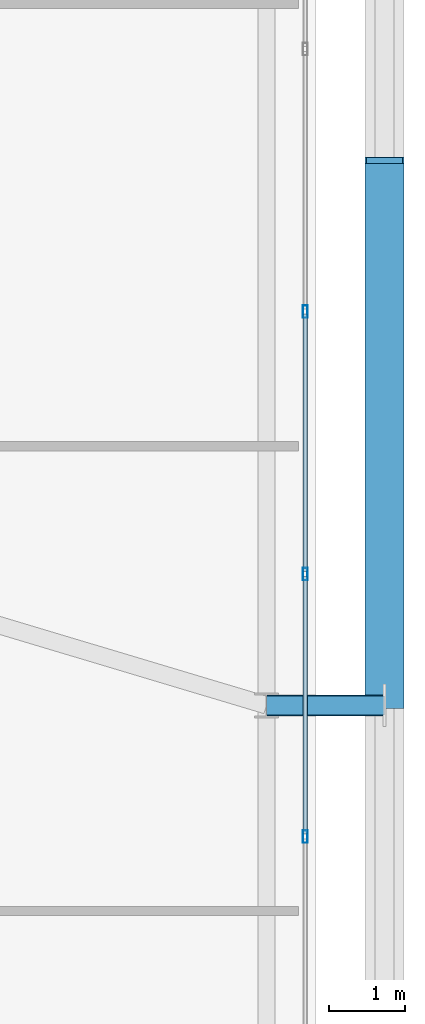
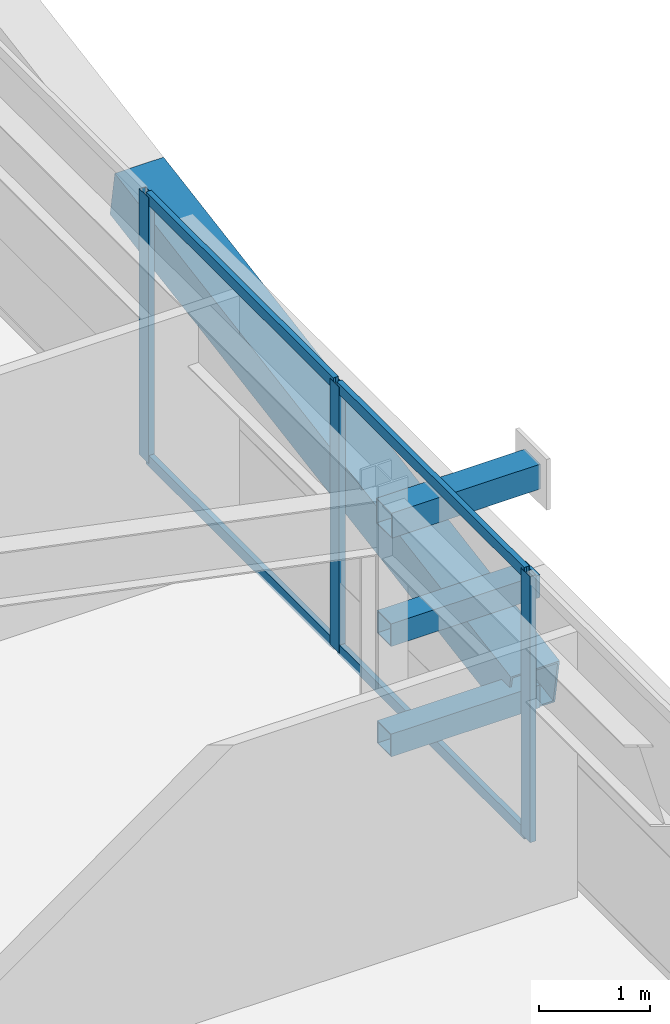
# One storey, part 30 of 59: 11 members, 1 element without a shape of its own.
"""IFC4 building model written with IfcOpenShell, lengths in metres."""

from ifc_helpers import new_model, si_unit, direction, frame, origin, origin_2d, place, context, subcontext, project, spatial, hollow_rectangle, extrude, source, transform, mapped, material, layer, layer_set, material_profile, profile_set, type_object, element, aggregate, save


model = new_model("IFC4")

# Units and contexts
model_context = context("Model", 3, precision=1e-05, world=origin(), true_north=direction((0.0, 1.0)))
body_context = subcontext(model_context, "Body", "Model", "MODEL_VIEW")
ifc_project = project(units=[si_unit("LENGTHUNIT", "METRE"), si_unit("AREAUNIT", "SQUARE_METRE"), si_unit("VOLUMEUNIT", "CUBIC_METRE"), si_unit("PLANEANGLEUNIT", "RADIAN"), si_unit("MASSUNIT", "GRAM", prefix="KILO")], contexts=[model_context])

# Site, building, storey
site_placement = place(None, origin())
site = spatial("IfcSite", under=ifc_project, at=site_placement, CompositionType="ELEMENT")
building_placement = place(site_placement, origin())
building = spatial("IfcBuilding", under=site, at=building_placement, Name="Taldren Reach Tower", CompositionType="ELEMENT")
storey_placement = place(building_placement, frame((0.0, 0.0, 26.25)))
storey = spatial("IfcBuildingStorey", under=building, at=storey_placement, Name="L07", CompositionType="ELEMENT", Elevation=26.25)

# Members
ifc_material_1 = material(Name="Steel Gr 450 (C450L0)", Category="steel")
ifc_material_profile_1 = material_profile(ifc_material_1, hollow_rectangle(XDim=0.27490234375, YDim=0.27490234375, WallThickness=0.00927734375, at=origin_2d()), Name="275x275x9.3SHS")
ifc_profile_set_1 = profile_set([ifc_material_profile_1], Name="Steel Gr 450 (C450L0)")
member_type_1 = type_object("IfcMemberType", Name="MB-TIE273", PredefinedType="STRUT", material=ifc_profile_set_1)
shared_shape_1 = source(origin(), body_context, "Body", "SweptSolid", [
    extrude(hollow_rectangle(XDim=0.27490234375, YDim=0.27490234375, WallThickness=0.00927734375, at=origin_2d()), origin(), (0.0, 0.0, 1.0), 1.5498046875),
])
member_1_placement = place(storey_placement, frame((64.35009765625, 20.0, 2.64990234375), z_axis=(1.0, 0.0, 0.0), x_axis=(0.0, 1.0, 0.0)))
element("IfcMember", 1, at=member_1_placement, inside=storey, type_object=member_type_1, Name="Exoskeleton diaphragm tie strut B1-E2 L07", PredefinedType="STRUT", context=body_context, shape_type="MappedRepresentation", body=[
    mapped(shared_shape_1, transform((0.0, 0.0, 0.0), scale=1.0)),
])
ifc_material_2 = material(Name="Steel Gr 350 (C350L0)", Category="steel")
ifc_material_profile_2 = material_profile(ifc_material_2, hollow_rectangle(XDim=0.25, YDim=0.25, WallThickness=0.010009765625, at=origin_2d()), Name="250x250x10.0SHS")
ifc_profile_set_2 = profile_set([ifc_material_profile_2], Name="Steel Gr 350 (C350L0)")
member_type_2 = type_object("IfcMemberType", Name="MB-POST250", PredefinedType="POST", material=ifc_profile_set_2)
shared_shape_2 = source(origin(), body_context, "Body", "SweptSolid", [
    extrude(hollow_rectangle(XDim=0.25, YDim=0.25, WallThickness=0.010009765625, at=origin_2d()), origin(), (0.0, 0.0, 1.0), 1.5498046875),
])
for number, where, z_axis, x_axis, name in (
    (2, (64.35009765625, 20.0, 0.219970703125), (1.0, 0.0, 0.0), (0.0, 1.0, 0.0), "Exoskeleton base diaphragm tie strut B1-E2 L07"),
    (3, (64.35009765625, 20.0, 1.43505859375), (1.0, 0.0, 0.0), (0.0, 1.0, 0.0), "Exoskeleton mid-tier diaphragm tie B1-E2 L07"),
):
    element("IfcMember", number, at=place(storey_placement, frame(where, z_axis=z_axis, x_axis=x_axis)), inside=storey, type_object=member_type_2, Name=name, PredefinedType="POST", context=body_context, shape_type="MappedRepresentation", body=[
        mapped(shared_shape_2, transform((0.0, 0.0, 0.0), scale=1.0)),
    ])
ifc_material_profile_3 = material_profile(ifc_material_1, hollow_rectangle(XDim=0.510009765625, YDim=0.510009765625, WallThickness=0.02001953125, at=origin_2d()), Name="510x510x20.0SHS")
ifc_profile_set_3 = profile_set([ifc_material_profile_3], Name="Steel Gr 450 (C450L0)")
member_type_3 = type_object("IfcMemberType", Name="MB-EXO508", PredefinedType="BRACE", material=ifc_profile_set_3)
shared_shape_3 = source(origin(), body_context, "Body", "SweptSolid", [
    extrude(hollow_rectangle(XDim=0.510009765625, YDim=0.510009765625, WallThickness=0.02001953125, at=origin_2d()), origin(), (0.0, 0.0, 1.0), 7.25244140625),
])
member_2_placement = place(storey_placement, frame((65.89990234375, 20.0, 0.219970703125), z_axis=(0.0, 0.985864855729, 0.167542490848), x_axis=(-1.0, 0.0, 0.0)))
element("IfcMember", 4, at=member_2_placement, inside=storey, type_object=member_type_3, Name="Exoskeleton Diagrid Brace B1-E2 L07", PredefinedType="BRACE", context=body_context, shape_type="MappedRepresentation", body=[
    mapped(shared_shape_3, transform((0.0, 0.0, 0.0), scale=1.0)),
])

# Curtain wall, members
ifc_material_3 = material(Name="Aluminium and Low-E Glass Unitised System", Category="aluminium")
ifc_layer = layer(ifc_material_3, 0.159912109375)
ifc_layer_set = layer_set([ifc_layer], Name="Aluminium and Low-E Glass Unitised System")
curtain_wall_type = type_object("IfcCurtainWallType", Name="CW-SYS-2", PredefinedType="NOTDEFINED", material=ifc_layer_set)
curtain_wall_placement = place(storey_placement, origin())
curtain_wall = element("IfcCurtainWall", 5, at=curtain_wall_placement, inside=storey, type_object=curtain_wall_type, Name="Unitised curtain wall CW-L07-E", PredefinedType="NOTDEFINED")
ifc_material_4 = material(Name="Anodised Aluminium 6063-T6", Category="aluminium")
ifc_material_profile_4 = material_profile(ifc_material_4, hollow_rectangle(XDim=0.06494140625, YDim=0.1650390625, WallThickness=0.00390625, at=origin_2d()), Name="ALU-165x65x4RHS")
ifc_profile_set_4 = profile_set([ifc_material_profile_4], Name="Anodised Aluminium 6063-T6")
member_type_4 = type_object("IfcMemberType", Name="CW-MUL-165", PredefinedType="MULLION", material=ifc_profile_set_4)
shared_shape_4 = source(origin(), body_context, "Body", "SweptSolid", [
    extrude(hollow_rectangle(XDim=0.06494140625, YDim=0.1650390625, WallThickness=0.00390625, at=origin_2d()), origin(), (0.0, 0.0, 1.0), 2.929931640625),
])
member_3_placement = place(storey_placement, frame((64.860107421875, 18.27783203125, 0.0), z_axis=(0.0, 0.0, 1.0), x_axis=(-1.0, 0.0, 0.0)))
member_3 = element("IfcMember", 6, at=member_3_placement, type_object=member_type_4, Name="CW-2 mullion 5", PredefinedType="MULLION", context=body_context, shape_type="MappedRepresentation", body=[
    mapped(shared_shape_4, transform((0.0, 0.0, 0.0), scale=1.0)),
])
member_4_placement = place(storey_placement, frame((64.860107421875, 21.72216796875, 0.0), z_axis=(0.0, 0.0, 1.0), x_axis=(-1.0, 0.0, 0.0)))
member_4 = element("IfcMember", 7, at=member_4_placement, type_object=member_type_4, Name="CW-2 mullion 6", PredefinedType="MULLION", context=body_context, shape_type="MappedRepresentation", body=[
    mapped(shared_shape_4, transform((0.0, 0.0, 0.0), scale=1.0)),
])
member_5_placement = place(storey_placement, frame((64.860107421875, 25.166748046875, 0.0), z_axis=(0.0, 0.0, 1.0), x_axis=(-1.0, 0.0, 0.0)))
member_5 = element("IfcMember", 8, at=member_5_placement, type_object=member_type_4, Name="CW-2 mullion 7", PredefinedType="MULLION", context=body_context, shape_type="MappedRepresentation", body=[
    mapped(shared_shape_4, transform((0.0, 0.0, 0.0), scale=1.0)),
])
ifc_material_profile_5 = material_profile(ifc_material_4, hollow_rectangle(XDim=0.054931640625, YDim=0.1201171875, WallThickness=0.0029296875, at=origin_2d()), Name="ALU-120x55x3RHS")
ifc_profile_set_5 = profile_set([ifc_material_profile_5], Name="Anodised Aluminium 6063-T6")
member_type_5 = type_object("IfcMemberType", Name="CW-TRN-135", PredefinedType="USERDEFINED", material=ifc_profile_set_5)
shared_shape_5 = source(origin(), body_context, "Body", "SweptSolid", [
    extrude(hollow_rectangle(XDim=0.054931640625, YDim=0.1201171875, WallThickness=0.0029296875, at=origin_2d()), origin(), (0.0, 0.0, 1.0), 3.37939453125),
])
member_6_placement = place(storey_placement, frame((64.860107421875, 18.310302734375, 0.027587890625), z_axis=(0.0, 1.0, 0.0), x_axis=(-1.0, 0.0, 0.0)))
member_6 = element("IfcMember", 9, at=member_6_placement, type_object=member_type_5, Name="CW-2 transom 5.1", ObjectType="TRANSOM", PredefinedType="USERDEFINED", context=body_context, shape_type="MappedRepresentation", body=[
    mapped(shared_shape_5, transform((0.0, 0.0, 0.0), scale=1.0)),
])
member_7_placement = place(storey_placement, frame((64.860107421875, 18.310302734375, 2.902587890625), z_axis=(0.0, 1.0, 0.0), x_axis=(-1.0, 0.0, 0.0)))
member_7 = element("IfcMember", 10, at=member_7_placement, type_object=member_type_5, Name="CW-2 transom 5.2", ObjectType="TRANSOM", PredefinedType="USERDEFINED", context=body_context, shape_type="MappedRepresentation", body=[
    mapped(shared_shape_5, transform((0.0, 0.0, 0.0), scale=1.0)),
])
shared_shape_6 = source(origin(), body_context, "Body", "SweptSolid", [
    extrude(hollow_rectangle(XDim=0.054931640625, YDim=0.1201171875, WallThickness=0.0029296875, at=origin_2d()), origin(), (0.0, 0.0, 1.0), 3.379638671875),
])
member_8_placement = place(storey_placement, frame((64.860107421875, 21.754638671875, 0.027587890625), z_axis=(0.0, 1.0, 0.0), x_axis=(-1.0, 0.0, 0.0)))
member_8 = element("IfcMember", 11, at=member_8_placement, type_object=member_type_5, Name="CW-2 transom 6.1", ObjectType="TRANSOM", PredefinedType="USERDEFINED", context=body_context, shape_type="MappedRepresentation", body=[
    mapped(shared_shape_6, transform((0.0, 0.0, 0.0), scale=1.0)),
])
member_9_placement = place(storey_placement, frame((64.860107421875, 21.754638671875, 2.902587890625), z_axis=(0.0, 1.0, 0.0), x_axis=(-1.0, 0.0, 0.0)))
member_9 = element("IfcMember", 12, at=member_9_placement, type_object=member_type_5, Name="CW-2 transom 6.2", ObjectType="TRANSOM", PredefinedType="USERDEFINED", context=body_context, shape_type="MappedRepresentation", body=[
    mapped(shared_shape_6, transform((0.0, 0.0, 0.0), scale=1.0)),
])
aggregate(curtain_wall, [member_3, member_4, member_5, member_6, member_7, member_8, member_9])

save(model, "model.ifc")
